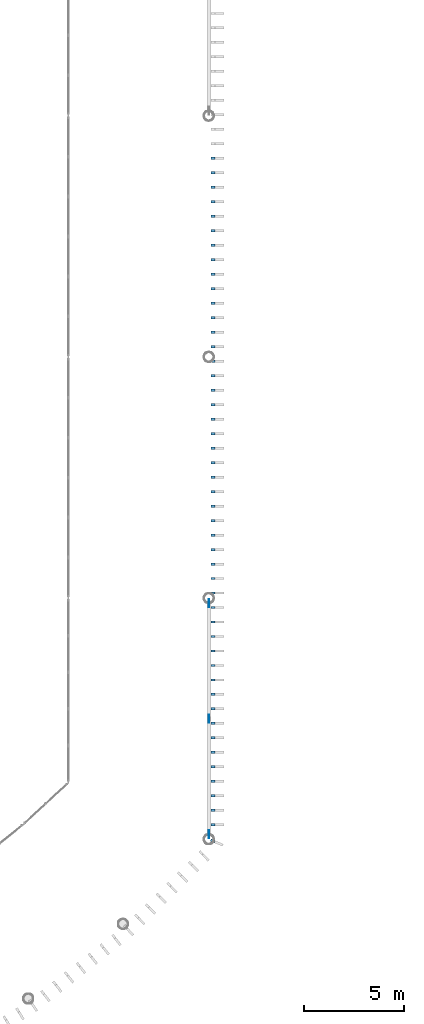
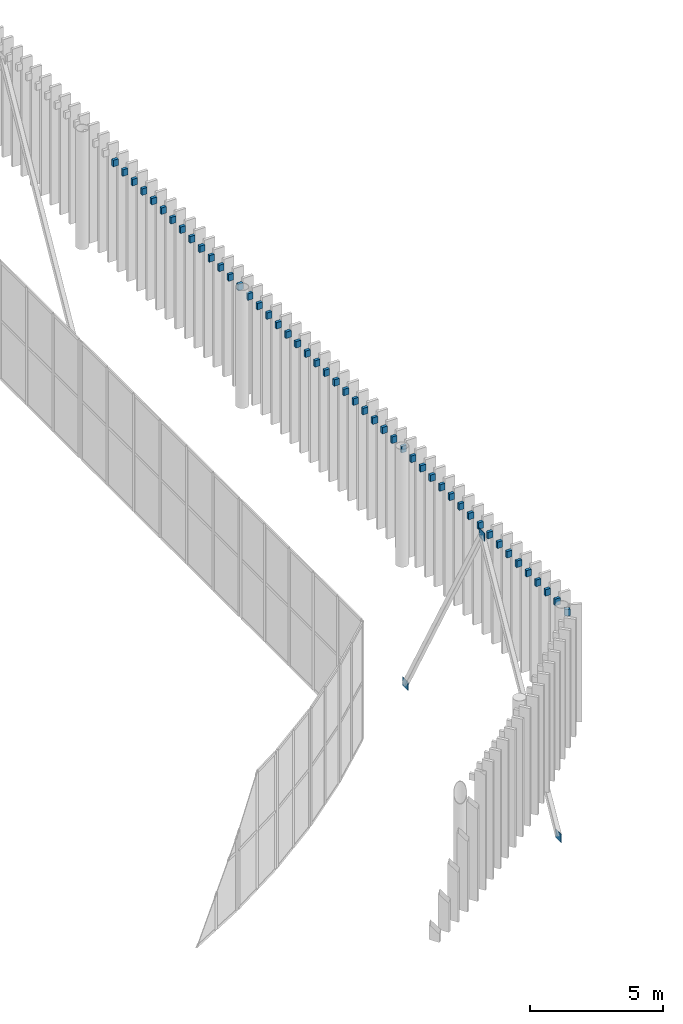
# One storey, part 130 of 170: 51 discrete accessories.
"""IFC4 building model written with IfcOpenShell, lengths in metres."""

from ifc_helpers import new_model, si_unit, direction, frame, origin, origin_2d, place, context, subcontext, project, spatial, rectangle, extrude, material, material_profile, profile_set, type_object, element, save


model = new_model("IFC4")

# Units and contexts
model_context = context("Model", 3, precision=1e-05, world=origin(), true_north=direction((0.0, 1.0)))
body_context = subcontext(model_context, "Body", "Model", "MODEL_VIEW")
ifc_project = project(units=[si_unit("LENGTHUNIT", "METRE"), si_unit("AREAUNIT", "SQUARE_METRE"), si_unit("VOLUMEUNIT", "CUBIC_METRE"), si_unit("PLANEANGLEUNIT", "RADIAN"), si_unit("MASSUNIT", "GRAM", prefix="KILO")], contexts=[model_context])

# Site, building, storey
site_placement = place(None, origin())
site = spatial("IfcSite", under=ifc_project, at=site_placement, CompositionType="ELEMENT")
building_placement = place(site_placement, origin())
building = spatial("IfcBuilding", under=site, at=building_placement, Name="Ravi Spectrum Wholesale Market", CompositionType="ELEMENT")
storey_placement = place(building_placement, frame((0.0, 0.0, 5.39990234375)))
storey = spatial("IfcBuildingStorey", under=building, at=storey_placement, Name="L01", CompositionType="ELEMENT", Elevation=5.39990234375)

# Discrete accessories
ifc_material_1 = material(Name="Steel S355", Category="steel")
discrete_accessory_type_1 = type_object("IfcDiscreteAccessoryType", Name="Fin bracket 120", PredefinedType="BRACKET", material=ifc_material_1)
for number, where, z_axis, x_axis, name in (
    (1, (110.1845703125, 29.9228515625, 4.89990234375), (0.0, 0.0, 1.0), (0.385839623157, 0.922565870387, 0.0), "Fin bracket B354"),
    (2, (110.199951171875, 30.720947265625, 4.89990234375), (0.0, 0.0, 1.0), (0.0, 1.0, 0.0), "Fin bracket B355"),
    (3, (110.199951171875, 31.442138671875, 4.89990234375), (0.0, 0.0, 1.0), (0.0, 1.0, 0.0), "Fin bracket B356"),
    (4, (110.199951171875, 32.1630859375, 4.89990234375), (0.0, 0.0, 1.0), (0.0, 1.0, 0.0), "Fin bracket B357"),
    (5, (110.199951171875, 32.884033203125, 4.89990234375), (0.0, 0.0, 1.0), (0.0, 1.0, 0.0), "Fin bracket B358"),
    (6, (110.199951171875, 33.605224609375, 4.89990234375), (0.0, 0.0, 1.0), (0.0, 1.0, 0.0), "Fin bracket B359"),
    (7, (110.199951171875, 34.326171875, 4.89990234375), (0.0, 0.0, 1.0), (0.0, 1.0, 0.0), "Fin bracket B360"),
    (8, (110.199951171875, 35.047119140625, 4.89990234375), (0.0, 0.0, 1.0), (0.0, 1.0, 0.0), "Fin bracket B361"),
    (9, (110.199951171875, 35.768310546875, 4.89990234375), (0.0, 0.0, 1.0), (0.0, 1.0, 0.0), "Fin bracket B362"),
    (10, (110.199951171875, 36.4892578125, 4.89990234375), (0.0, 0.0, 1.0), (0.0, 1.0, 0.0), "Fin bracket B363"),
    (11, (110.199951171875, 37.210205078125, 4.89990234375), (0.0, 0.0, 1.0), (0.0, 1.0, 0.0), "Fin bracket B364"),
    (12, (110.199951171875, 37.931396484375, 4.89990234375), (0.0, 0.0, 1.0), (0.0, 1.0, 0.0), "Fin bracket B365"),
    (13, (110.199951171875, 38.65234375, 4.89990234375), (0.0, 0.0, 1.0), (0.0, 1.0, 0.0), "Fin bracket B366"),
    (14, (110.199951171875, 39.373291015625, 4.89990234375), (0.0, 0.0, 1.0), (0.0, 1.0, 0.0), "Fin bracket B367"),
    (15, (110.199951171875, 40.094482421875, 4.89990234375), (0.0, 0.0, 1.0), (0.0, 1.0, 0.0), "Fin bracket B368"),
    (16, (110.199951171875, 40.8154296875, 4.89990234375), (0.0, 0.0, 1.0), (0.0, 1.0, 0.0), "Fin bracket B369"),
    (17, (110.199951171875, 41.536376953125, 4.89990234375), (0.0, 0.0, 1.0), (0.0, 1.0, 0.0), "Fin bracket B370"),
    (18, (110.199951171875, 42.257568359375, 4.89990234375), (0.0, 0.0, 1.0), (0.0, 1.0, 0.0), "Fin bracket B371"),
    (19, (110.199951171875, 42.978515625, 4.89990234375), (0.0, 0.0, 1.0), (0.0, 1.0, 0.0), "Fin bracket B372"),
    (20, (110.199951171875, 43.699462890625, 4.89990234375), (0.0, 0.0, 1.0), (0.0, 1.0, 0.0), "Fin bracket B373"),
    (21, (110.199951171875, 44.420654296875, 4.89990234375), (0.0, 0.0, 1.0), (0.0, 1.0, 0.0), "Fin bracket B374"),
    (22, (110.199951171875, 45.1416015625, 4.89990234375), (0.0, 0.0, 1.0), (0.0, 1.0, 0.0), "Fin bracket B375"),
    (23, (110.199951171875, 45.862548828125, 4.89990234375), (0.0, 0.0, 1.0), (0.0, 1.0, 0.0), "Fin bracket B376"),
    (24, (110.199951171875, 46.583740234375, 4.89990234375), (0.0, 0.0, 1.0), (0.0, 1.0, 0.0), "Fin bracket B377"),
    (25, (110.199951171875, 47.3046875, 4.89990234375), (0.0, 0.0, 1.0), (0.0, 1.0, 0.0), "Fin bracket B378"),
    (26, (110.199951171875, 48.025634765625, 4.89990234375), (0.0, 0.0, 1.0), (0.0, 1.0, 0.0), "Fin bracket B379"),
    (27, (110.199951171875, 48.746826171875, 4.89990234375), (0.0, 0.0, 1.0), (0.0, 1.0, 0.0), "Fin bracket B380"),
    (28, (110.199951171875, 49.4677734375, 4.89990234375), (0.0, 0.0, 1.0), (0.0, 1.0, 0.0), "Fin bracket B381"),
    (29, (110.199951171875, 50.188720703125, 4.89990234375), (0.0, 0.0, 1.0), (0.0, 1.0, 0.0), "Fin bracket B382"),
    (30, (110.199951171875, 50.909912109375, 4.89990234375), (0.0, 0.0, 1.0), (0.0, 1.0, 0.0), "Fin bracket B383"),
    (31, (110.199951171875, 51.630859375, 4.89990234375), (0.0, 0.0, 1.0), (0.0, 1.0, 0.0), "Fin bracket B384"),
    (32, (110.199951171875, 52.35205078125, 4.89990234375), (0.0, 0.0, 1.0), (0.0, 1.0, 0.0), "Fin bracket B385"),
    (33, (110.199951171875, 53.072998046875, 4.89990234375), (0.0, 0.0, 1.0), (0.0, 1.0, 0.0), "Fin bracket B386"),
    (34, (110.199951171875, 53.7939453125, 4.89990234375), (0.0, 0.0, 1.0), (0.0, 1.0, 0.0), "Fin bracket B387"),
    (35, (110.199951171875, 54.51513671875, 4.89990234375), (0.0, 0.0, 1.0), (0.0, 1.0, 0.0), "Fin bracket B388"),
    (36, (110.199951171875, 55.236083984375, 4.89990234375), (0.0, 0.0, 1.0), (0.0, 1.0, 0.0), "Fin bracket B389"),
    (37, (110.199951171875, 55.95703125, 4.89990234375), (0.0, 0.0, 1.0), (0.0, 1.0, 0.0), "Fin bracket B390"),
    (38, (110.199951171875, 56.67822265625, 4.89990234375), (0.0, 0.0, 1.0), (0.0, 1.0, 0.0), "Fin bracket B391"),
    (39, (110.199951171875, 57.399169921875, 4.89990234375), (0.0, 0.0, 1.0), (0.0, 1.0, 0.0), "Fin bracket B392"),
    (40, (110.199951171875, 58.1201171875, 4.89990234375), (0.0, 0.0, 1.0), (0.0, 1.0, 0.0), "Fin bracket B393"),
    (41, (110.199951171875, 58.84130859375, 4.89990234375), (0.0, 0.0, 1.0), (0.0, 1.0, 0.0), "Fin bracket B394"),
    (42, (110.199951171875, 59.562255859375, 4.89990234375), (0.0, 0.0, 1.0), (0.0, 1.0, 0.0), "Fin bracket B395"),
    (43, (110.199951171875, 60.283203125, 4.89990234375), (0.0, 0.0, 1.0), (0.0, 1.0, 0.0), "Fin bracket B396"),
    (44, (110.199951171875, 61.00439453125, 4.89990234375), (0.0, 0.0, 1.0), (0.0, 1.0, 0.0), "Fin bracket B397"),
    (45, (110.199951171875, 61.725341796875, 4.89990234375), (0.0, 0.0, 1.0), (0.0, 1.0, 0.0), "Fin bracket B398"),
    (46, (110.199951171875, 62.4462890625, 4.89990234375), (0.0, 0.0, 1.0), (0.0, 1.0, 0.0), "Fin bracket B399"),
    (47, (110.199951171875, 63.16748046875, 4.89990234375), (0.0, 0.0, 1.0), (0.0, 1.0, 0.0), "Fin bracket B400"),
    (48, (110.199951171875, 63.888427734375, 4.89990234375), (0.0, 0.0, 1.0), (0.0, 1.0, 0.0), "Fin bracket B401"),
):
    element("IfcDiscreteAccessory", number, at=place(storey_placement, frame(where, z_axis=z_axis, x_axis=x_axis)), inside=storey, type_object=discrete_accessory_type_1, Name=name, PredefinedType="BRACKET", context=body_context, shape_type="SweptSolid", body=[
        extrude(rectangle(XDim=0.1201171875, YDim=0.219970703125, at=origin_2d()), origin(), (0.0, 0.0, 1.0), 0.300048828125),
    ])
ifc_material_2 = material(Name="Steel S355", Category="steel")
ifc_material_profile = material_profile(ifc_material_2, rectangle(XDim=0.39990234375, YDim=0.02001953125, at=origin_2d()))
ifc_profile_set = profile_set([ifc_material_profile], Name="Steel S355")
discrete_accessory_type_2 = type_object("IfcDiscreteAccessoryType", Name="Gusset plate 400x400x20", PredefinedType="BRACKET", material=ifc_profile_set)
discrete_accessory_1_placement = place(storey_placement, frame((110.0, 30.25390625, -5.55078125), z_axis=(0.0, 0.0, 1.0), x_axis=(0.0, 1.0, 0.0)))
element("IfcDiscreteAccessory", 49, at=discrete_accessory_1_placement, inside=storey, type_object=discrete_accessory_type_2, Name="Gusset plate", PredefinedType="BRACKET", context=body_context, shape_type="SweptSolid", body=[
    extrude(rectangle(XDim=0.39990234375, YDim=0.02001953125, at=origin_2d()), origin(), (0.0, 0.0, 1.0), 0.39990234375),
])
discrete_accessory_2_placement = place(storey_placement, frame((110.0, 36.0, 4.75), z_axis=(0.0, 0.0, 1.0), x_axis=(0.0, 1.0, 0.0)))
element("IfcDiscreteAccessory", 50, at=discrete_accessory_2_placement, inside=storey, type_object=discrete_accessory_type_2, Name="Gusset plate", PredefinedType="BRACKET", context=body_context, shape_type="SweptSolid", body=[
    extrude(rectangle(XDim=0.39990234375, YDim=0.02001953125, at=origin_2d()), origin(), (0.0, 0.0, 1.0), 0.400146484375),
])
discrete_accessory_3_placement = place(storey_placement, frame((110.0, 41.74609375, -5.55078125), z_axis=(0.0, 0.0, 1.0), x_axis=(0.0, -1.0, 0.0)))
element("IfcDiscreteAccessory", 51, at=discrete_accessory_3_placement, inside=storey, type_object=discrete_accessory_type_2, Name="Gusset plate", PredefinedType="BRACKET", context=body_context, shape_type="SweptSolid", body=[
    extrude(rectangle(XDim=0.39990234375, YDim=0.02001953125, at=origin_2d()), origin(), (0.0, 0.0, 1.0), 0.39990234375),
])

save(model, "model.ifc")
